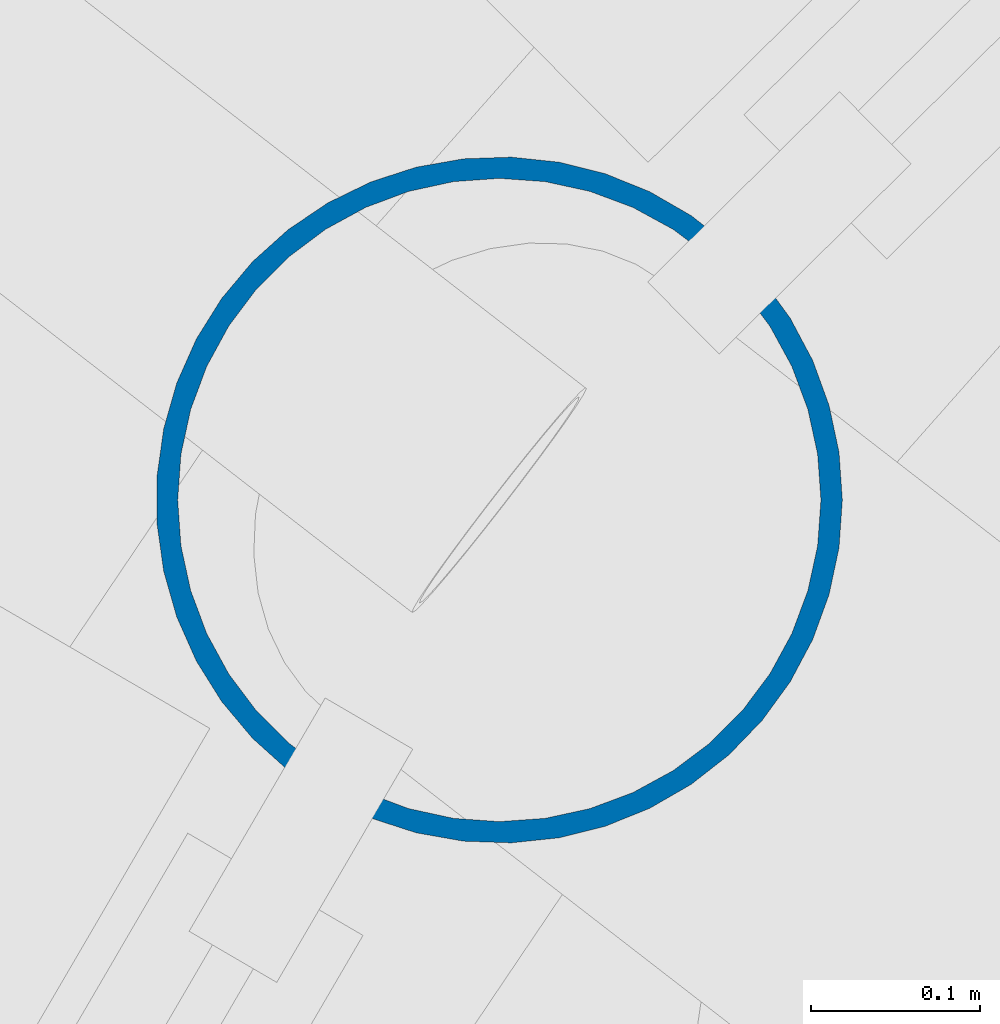
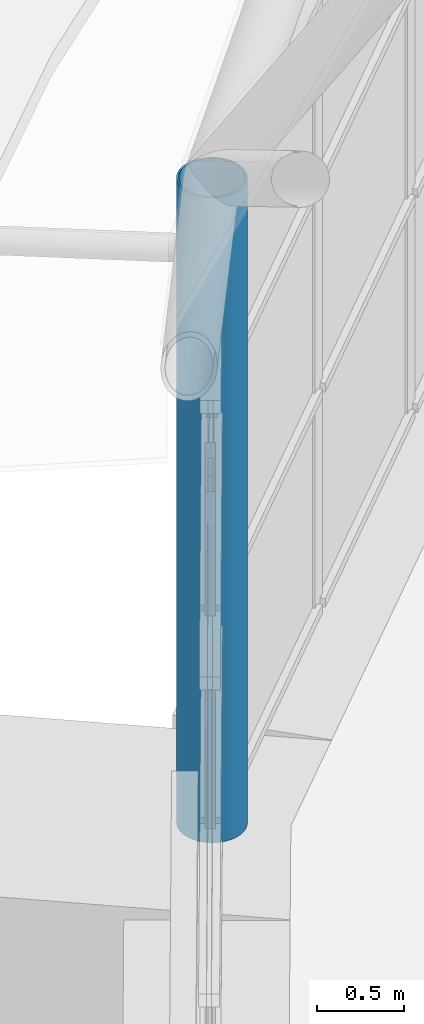
# One storey, part 29 of 226: 1 column.
"""IFC4 building model written with IfcOpenShell, lengths in metres."""

import ifcopenshell
import ifcopenshell.guid

model = None  # the IFC model being written
_history = None  # IfcOwnerHistory: only IFC2X3 demands one
_inside = {}  # id of a spatial element -> (the spatial element, [elements in it])
_under = {}  # id of a project, library or spatial element -> (it, [spatial elements below it])
_declared = {}  # id of a project -> (the project, [libraries it declares])
_typed = {}  # id of a type object -> (the type object, [elements of that type])
_made_of = {}  # id of a material, layer set ... -> (it, [elements and type objects made of it])


def new_model(schema):
    """Start an empty IFC model of exactly this schema.

    Asked for "IFC4X3", IfcOpenShell would pick the latest addendum, in which some entities
    have other attributes; the version numbers below select the first issue.
    IFC2X3 requires an IfcOwnerHistory on every rooted entity: one is made here for all.
    """
    global model, _history
    if schema == "IFC4X3":
        model = ifcopenshell.file(schema_version=(4, 3, 0, 0))
    else:
        model = ifcopenshell.file(schema=schema)
    _inside.clear()
    _under.clear()
    _declared.clear()
    _typed.clear()
    _made_of.clear()
    _history = None
    if model.schema == "IFC2X3":
        org = make("IfcOrganization", Name="unknown")
        user = make(
            "IfcPersonAndOrganization",
            ThePerson=make("IfcPerson", FamilyName="unknown"),
            TheOrganization=org,
        )
        app = make(
            "IfcApplication",
            ApplicationDeveloper=org,
            Version="unknown",
            ApplicationFullName="unknown",
            ApplicationIdentifier="unknown",
        )
        _history = make(
            "IfcOwnerHistory",
            OwningUser=user,
            OwningApplication=app,
            ChangeAction="ADDED",
            CreationDate=0,
        )
    return model


def make(cls, **values):
    """One entity of the class cls with the attributes given. An attribute that is None is left unset."""
    return model.create_entity(
        cls, **{name: value for name, value in values.items() if value is not None}
    )


def rooted(cls, **values):
    """An entity with a GlobalId (a new one), such as an element, a storey or a relation."""
    return make(cls, GlobalId=ifcopenshell.guid.new(), OwnerHistory=_history, **values)


def si_unit(unit_type, name, prefix=None):
    """IfcSIUnit, for example si_unit("LENGTHUNIT", "METRE", prefix="MILLI")."""
    return make("IfcSIUnit", UnitType=unit_type, Prefix=prefix, Name=name)


def assignment(units):
    """IfcUnitAssignment: the units of a project."""
    return None if units is None else make("IfcUnitAssignment", Units=units)


def point(xyz):
    """IfcCartesianPoint."""
    return None if xyz is None else make("IfcCartesianPoint", Coordinates=xyz)


def direction(xyz):
    """IfcDirection."""
    return None if xyz is None else make("IfcDirection", DirectionRatios=xyz)


def frame(location, z_axis=None, x_axis=None):
    """IfcAxis2Placement3D, a coordinate frame: its origin and axes. An axis left out is left unset."""
    return make(
        "IfcAxis2Placement3D",
        Location=point(location),
        Axis=direction(z_axis),
        RefDirection=direction(x_axis),
    )


def frame_2d(location, x_axis=None):
    """IfcAxis2Placement2D, a coordinate frame in the plane: its origin and x axis."""
    return make(
        "IfcAxis2Placement2D", Location=point(location), RefDirection=direction(x_axis)
    )


def origin():
    """The frame at (0, 0, 0) with its axes left unset."""
    return frame((0.0, 0.0, 0.0))


def origin_2d():
    """The frame at (0, 0) in the plane with its x axis left unset."""
    return frame_2d((0.0, 0.0))


def place(relative_to, where):
    """IfcLocalPlacement: puts the frame where relative to a parent placement (None: the world)."""
    return make(
        "IfcLocalPlacement", PlacementRelTo=relative_to, RelativePlacement=where
    )


def context(
    kind, dimensions, precision=None, world=None, true_north=None, identifier=None
):
    """IfcGeometricRepresentationContext, for example the 3D "Model" context."""
    return make(
        "IfcGeometricRepresentationContext",
        ContextIdentifier=identifier,
        ContextType=kind,
        CoordinateSpaceDimension=dimensions,
        Precision=precision,
        WorldCoordinateSystem=world,
        TrueNorth=true_north,
    )


def subcontext(parent, identifier, kind, view, scale=None):
    """IfcGeometricRepresentationSubContext, for example "Body" below "Model"."""
    return make(
        "IfcGeometricRepresentationSubContext",
        ContextIdentifier=identifier,
        ContextType=kind,
        ParentContext=parent,
        TargetScale=scale,
        TargetView=view,
    )


def project(units=None, contexts=None):
    """IfcProject with its units and contexts."""
    return rooted(
        "IfcProject",
        Name="project",
        RepresentationContexts=contexts,
        UnitsInContext=assignment(units),
    )


def spatial(cls, under=None, at=None, **own):
    """A site, building, storey or space (cls), placed at a placement, below another one or the project."""
    s = rooted(cls, ObjectPlacement=at, **own)
    if under is not None:
        _under.setdefault(under.id(), (under, []))[1].append(s)
    return s


def profile(cls, at=None, kind="AREA", **sizes):
    """A parametric profile (cls). Its sizes go by their IFC names, for example OverallWidth=200.0."""
    return make(cls, ProfileType=kind, Position=at, **sizes)


def hollow_circle(**sizes):
    """IfcCircleHollowProfileDef."""
    return profile("IfcCircleHollowProfileDef", **sizes)


def extrude(swept, where, along, depth):
    """IfcExtrudedAreaSolid: the profile swept, set in the frame where, extruded along a direction by depth."""
    return make(
        "IfcExtrudedAreaSolid",
        SweptArea=swept,
        Position=where,
        ExtrudedDirection=direction(along),
        Depth=depth,
    )


def shape(context_of_items, identifier, shape_type, items):
    """IfcShapeRepresentation: the items that make up one representation, for example the "Body"."""
    return make(
        "IfcShapeRepresentation",
        ContextOfItems=context_of_items,
        RepresentationIdentifier=identifier,
        RepresentationType=shape_type,
        Items=items,
    )


def material(Name=None, Category=None):
    """IfcMaterial."""
    return make("IfcMaterial", Name=Name, Category=Category)


def material_profile(
    of_material, cross_section, Name=None, Category=None, Priority=None
):
    """IfcMaterialProfile: a cross section and its material."""
    return make(
        "IfcMaterialProfile",
        Name=Name,
        Material=of_material,
        Profile=cross_section,
        Priority=Priority,
        Category=Category,
    )


def profile_set(profiles, Name=None, composite=None):
    """IfcMaterialProfileSet."""
    return make(
        "IfcMaterialProfileSet",
        Name=Name,
        MaterialProfiles=profiles,
        CompositeProfile=composite,
    )


def made_of(thing, what):
    """Note that an element or type object is made of a material, layer set ...; save() writes the relation."""
    if what is not None:
        _made_of.setdefault(what.id(), (what, []))[1].append(thing)
    return thing


def type_object(cls, material=None, **own):
    """A type object (cls), such as IfcWallType, which elements share."""
    return made_of(rooted(cls, **own), material)


def element(
    cls,
    number,
    at=None,
    inside=None,
    cuts=None,
    type_object=None,
    material=None,
    context=None,
    identifier="Body",
    shape_type=None,
    held_by="IfcProductDefinitionShape",
    body=None,
    shapes=None,
    **own,
):
    """One element of the class cls, such as IfcWall. Its Tag is "e" and its number.

    at: its placement. inside: the storey or other place that contains it. cuts: it is an
    opening in that element (IfcRelVoidsElement). A single representation is given by context,
    identifier, shape_type and body (its items); several are given by shapes. held_by: the class
    of the entity that holds the representations. save() writes the other relations.
    """
    e = rooted(cls, Tag="e%d" % number, ObjectPlacement=at, **own)
    if body is not None:
        shapes = [shape(context, identifier, shape_type, body)]
    if shapes is not None:
        e.Representation = make(held_by, Representations=shapes)
    if inside is not None:
        _inside.setdefault(inside.id(), (inside, []))[1].append(e)
    if cuts is not None:
        rooted(
            "IfcRelVoidsElement", RelatingBuildingElement=cuts, RelatedOpeningElement=e
        )
    if type_object is not None:
        _typed.setdefault(type_object.id(), (type_object, []))[1].append(e)
    return made_of(e, material)


def aggregate(whole, parts):
    """IfcRelAggregates: a whole, such as a stair, and the parts it consists of."""
    return rooted("IfcRelAggregates", RelatingObject=whole, RelatedObjects=parts)


def save(model, path):
    """Write the relations noted so far, then the file.

    IfcRelAggregates (storeys below a building ...), IfcRelContainedInSpatialStructure (elements
    in a storey), IfcRelDefinesByType, IfcRelAssociatesMaterial and IfcRelDeclares: one each for
    every whole, place, type object, material and project.
    """
    for whole, parts in _under.values():
        aggregate(whole, parts)
    for where, things in _inside.values():
        rooted(
            "IfcRelContainedInSpatialStructure",
            RelatedElements=things,
            RelatingStructure=where,
        )
    for kind, things in _typed.values():
        rooted("IfcRelDefinesByType", RelatedObjects=things, RelatingType=kind)
    for what, things in _made_of.values():
        rooted("IfcRelAssociatesMaterial", RelatedObjects=things, RelatingMaterial=what)
    for by, libraries in _declared.values():
        rooted("IfcRelDeclares", RelatingContext=by, RelatedDefinitions=libraries)
    model.write(path)


model = new_model("IFC4")

# Units and contexts
model_context = context("Model", 3, precision=1e-05, world=origin(), true_north=direction((0.0, 1.0)))
body_context = subcontext(model_context, "Body", "Model", "MODEL_VIEW")
ifc_project = project(units=[si_unit("LENGTHUNIT", "METRE"), si_unit("AREAUNIT", "SQUARE_METRE"), si_unit("VOLUMEUNIT", "CUBIC_METRE"), si_unit("PLANEANGLEUNIT", "RADIAN"), si_unit("MASSUNIT", "GRAM", prefix="KILO")], contexts=[model_context])

# Site, building, storey
site_placement = place(None, origin())
site = spatial("IfcSite", under=ifc_project, at=site_placement, CompositionType="ELEMENT")
building_placement = place(site_placement, origin())
building = spatial("IfcBuilding", under=site, at=building_placement, Name="Ceibo Conservatory and Research Tower", CompositionType="ELEMENT")
storey_placement = place(building_placement, origin())
storey = spatial("IfcBuildingStorey", under=building, at=storey_placement, Name="L00", CompositionType="ELEMENT", Elevation=0.0)

# Column
ifc_material = material(Name="Steel ASTM A500 Gr C", Category="steel")
ifc_material_profile = material_profile(ifc_material, hollow_circle(Radius=0.203125, WallThickness=0.0126953125, at=origin_2d()), Name="CHS column 406.4x12.70")
ifc_profile_set = profile_set([ifc_material_profile], Name="Steel ASTM A500 Gr C")
column_type = type_object("IfcColumnType", Name="CHS column 406.4x12.70", PredefinedType="COLUMN", material=ifc_profile_set)
column_placement = place(storey_placement, frame((124.372314453125, 132.48876953125, 0.0), z_axis=(0.0, 0.0, 1.0), x_axis=(1.0, 0.0, 0.0)))
element("IfcColumn", 1, at=column_placement, inside=storey, type_object=column_type, Name="Drum column A-DC10", PredefinedType="COLUMN", context=body_context, shape_type="SweptSolid", body=[
    extrude(hollow_circle(Radius=0.203125, WallThickness=0.0126953125, at=origin_2d()), origin(), (0.0, 0.0, 1.0), 4.5),
])

save(model, "model.ifc")
